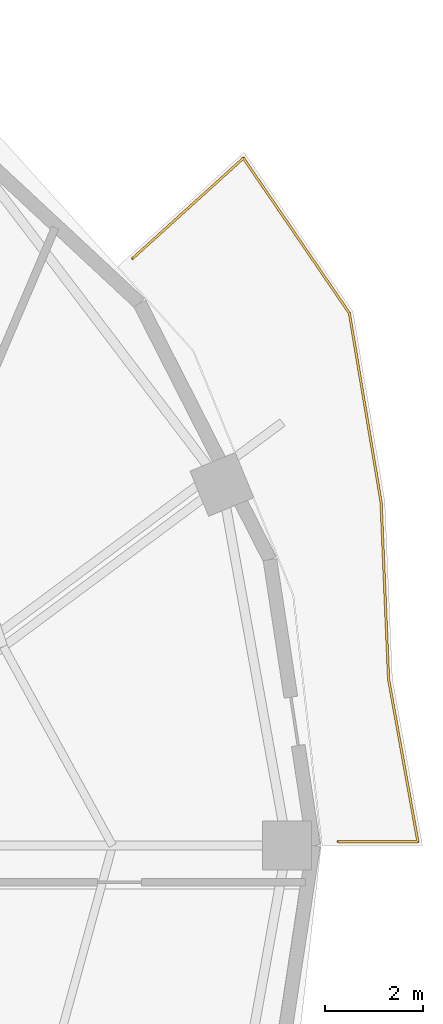
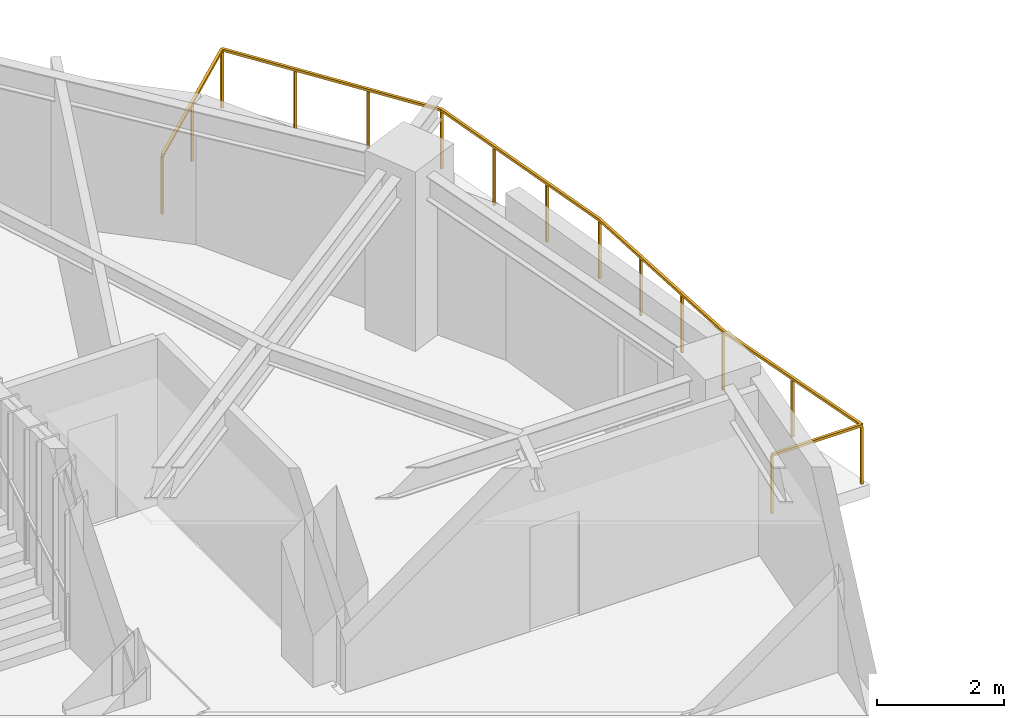
# One storey, part 9 of 9: 1 railing.
"""IFC4 building model written with IfcOpenShell, lengths in metres."""

from ifc_helpers import new_model, si_unit, direction, frame, origin, origin_2d, place, context, subcontext, project, spatial, rectangle, extrude, material, type_object, element, save


model = new_model("IFC4")

# Units and contexts
model_context = context("Model", 3, precision=1e-05, world=origin(), true_north=direction((0.0, 1.0)))
body_context = subcontext(model_context, "Body", "Model", "MODEL_VIEW")
ifc_project = project(units=[si_unit("LENGTHUNIT", "METRE"), si_unit("AREAUNIT", "SQUARE_METRE"), si_unit("VOLUMEUNIT", "CUBIC_METRE"), si_unit("PLANEANGLEUNIT", "RADIAN"), si_unit("MASSUNIT", "GRAM", prefix="KILO")], contexts=[model_context])

# Site, building, storey
site_placement = place(None, origin())
site = spatial("IfcSite", under=ifc_project, at=site_placement, CompositionType="ELEMENT")
building_placement = place(site_placement, origin())
building = spatial("IfcBuilding", under=site, at=building_placement, Name="Haldorwick Loom Tower", CompositionType="ELEMENT")
storey_placement = place(building_placement, frame((0.0, 0.0, 252.300048828125)))
storey = spatial("IfcBuildingStorey", under=building, at=storey_placement, Name="L68", CompositionType="ELEMENT", Elevation=252.300048828125)

# Railing
ifc_material = material(Name="Galvanized Steel CSA G40.21 350W", Category="steel")
railing_type = type_object("IfcRailingType", Name="ARC-RLG-BAL115", PredefinedType="BALUSTRADE", material=ifc_material)
railing_placement = place(storey_placement, frame((57.177001953125, 38.005615234375, 0.0)))
element("IfcRailing", 1, at=railing_placement, inside=storey, type_object=railing_type, Name="L68 Outdoor Terrace Guardrail SLB-L68-BAL_ENE-1", PredefinedType="BALUSTRADE", context=body_context, shape_type="SweptSolid", body=[
    extrude(rectangle(XDim=0.048095703125, YDim=0.048095703125, at=origin_2d()), frame((0.0, 0.0, 1.1259765625), z_axis=(0.741584946857, 0.670858976683, 0.0), x_axis=(-0.670858976683, 0.741584946857, 0.0)), (0.0, 0.0, 1.0), 3.058349609375),
    extrude(rectangle(XDim=0.048095703125, YDim=0.048095703125, at=origin_2d()), frame((2.26806640625, 2.0517578125, 1.1259765625), z_axis=(0.564025089153, -0.825757651376, 0.0), x_axis=(0.825757651376, 0.564025089153, 0.0)), (0.0, 0.0, 1.0), 3.84033203125),
    extrude(rectangle(XDim=0.048095703125, YDim=0.048095703125, at=origin_2d()), frame((4.43408203125, -1.119384765625, 1.1259765625), z_axis=(0.165582589348, -0.986195926834, 0.0), x_axis=(0.986195926834, 0.165582589348, 0.0)), (0.0, 0.0, 1.0), 3.9130859375),
    extrude(rectangle(XDim=0.048095703125, YDim=0.048095703125, at=origin_2d()), frame((5.08203125, -4.978515625, 1.1259765625), z_axis=(0.042434606973, -0.999099246387, 0.0), x_axis=(0.999099246387, 0.042434606973, 0.0)), (0.0, 0.0, 1.0), 3.62451171875),
    extrude(rectangle(XDim=0.048095703125, YDim=0.048095703125, at=origin_2d()), frame((5.23583984375, -8.599853515625, 1.1259765625), z_axis=(0.112909688044, -0.99360525479, 0.0), x_axis=(0.99360525479, 0.112909688044, 0.0)), (0.0, 0.0, 1.0), 0.0107421875),
    extrude(rectangle(XDim=0.048095703125, YDim=0.048095703125, at=origin_2d()), frame((5.237060546875, -8.610595703125, 1.1259765625), z_axis=(0.17771177544, -0.98408258031, 0.0), x_axis=(0.98408258031, 0.17771177544, 0.0)), (0.0, 0.0, 1.0), 3.36865234375),
    extrude(rectangle(XDim=0.048095703125, YDim=0.048095703125, at=origin_2d()), frame((5.835693359375, -11.925537109375, 1.1259765625), z_axis=(-1.0, 0.0, 0.0), x_axis=(0.0, -1.0, 0.0)), (0.0, 0.0, 1.0), 1.6328125),
    extrude(rectangle(XDim=0.0419921875, YDim=0.0419921875, at=origin_2d()), origin(), (0.0, 0.0, 1.0), 1.101806640625),
    extrude(rectangle(XDim=0.0419921875, YDim=0.0419921875, at=origin_2d()), frame((1.134033203125, 1.02587890625, 0.0)), (0.0, 0.0, 1.0), 1.101806640625),
    extrude(rectangle(XDim=0.0419921875, YDim=0.0419921875, at=origin_2d()), frame((2.26806640625, 2.0517578125, 0.0)), (0.0, 0.0, 1.0), 1.101806640625),
    extrude(rectangle(XDim=0.0419921875, YDim=0.0419921875, at=origin_2d()), frame((2.989990234375, 0.99462890625, 0.0)), (0.0, 0.0, 1.0), 1.101806640625),
    extrude(rectangle(XDim=0.0419921875, YDim=0.0419921875, at=origin_2d()), frame((3.712158203125, -0.062255859375, 0.0)), (0.0, 0.0, 1.0), 1.101806640625),
    extrude(rectangle(XDim=0.0419921875, YDim=0.0419921875, at=origin_2d()), frame((4.43408203125, -1.119384765625, 0.0)), (0.0, 0.0, 1.0), 1.101806640625),
    extrude(rectangle(XDim=0.0419921875, YDim=0.0419921875, at=origin_2d()), frame((4.650146484375, -2.40576171875, 0.0)), (0.0, 0.0, 1.0), 1.101806640625),
    extrude(rectangle(XDim=0.0419921875, YDim=0.0419921875, at=origin_2d()), frame((4.865966796875, -3.692138671875, 0.0)), (0.0, 0.0, 1.0), 1.101806640625),
    extrude(rectangle(XDim=0.0419921875, YDim=0.0419921875, at=origin_2d()), frame((5.08203125, -4.978515625, 0.0)), (0.0, 0.0, 1.0), 1.101806640625),
    extrude(rectangle(XDim=0.0419921875, YDim=0.0419921875, at=origin_2d()), frame((5.13330078125, -6.185546875, 0.0)), (0.0, 0.0, 1.0), 1.101806640625),
    extrude(rectangle(XDim=0.0419921875, YDim=0.0419921875, at=origin_2d()), frame((5.1845703125, -7.392822265625, 0.0)), (0.0, 0.0, 1.0), 1.101806640625),
    extrude(rectangle(XDim=0.0419921875, YDim=0.0419921875, at=origin_2d()), frame((5.23583984375, -8.599853515625, 0.0)), (0.0, 0.0, 1.0), 1.101806640625),
    extrude(rectangle(XDim=0.0419921875, YDim=0.0419921875, at=origin_2d()), frame((5.536376953125, -10.26806640625, 0.0)), (0.0, 0.0, 1.0), 1.101806640625),
    extrude(rectangle(XDim=0.0419921875, YDim=0.0419921875, at=origin_2d()), frame((5.835693359375, -11.925537109375, 0.0)), (0.0, 0.0, 1.0), 1.101806640625),
    extrude(rectangle(XDim=0.0419921875, YDim=0.0419921875, at=origin_2d()), frame((4.202880859375, -11.925537109375, 0.0)), (0.0, 0.0, 1.0), 1.101806640625),
])

save(model, "model.ifc")
